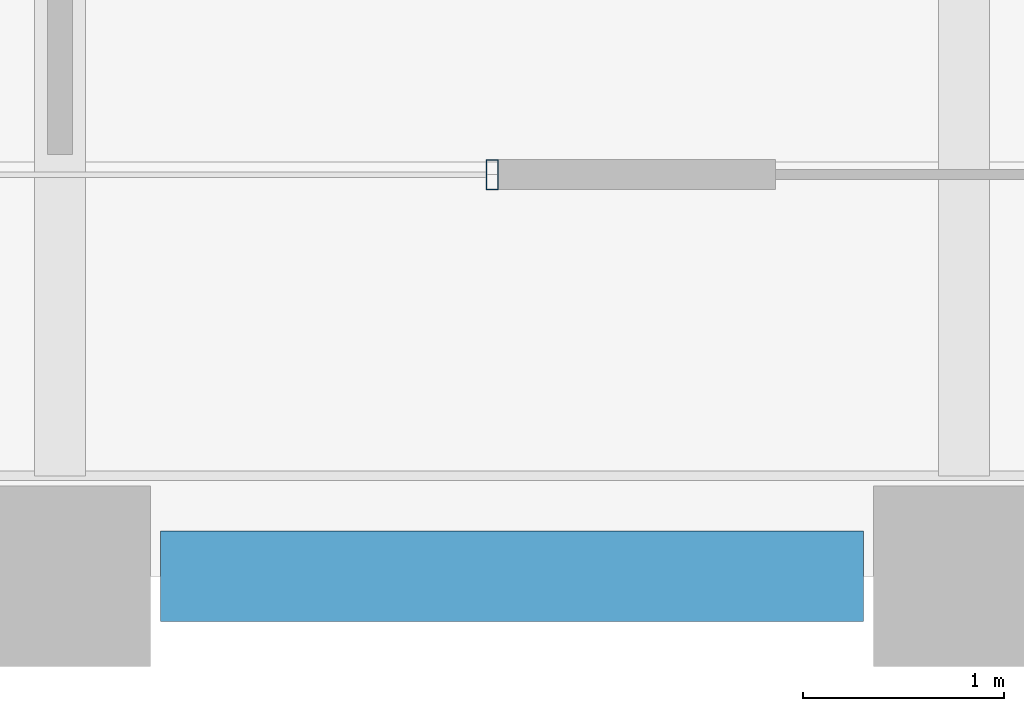
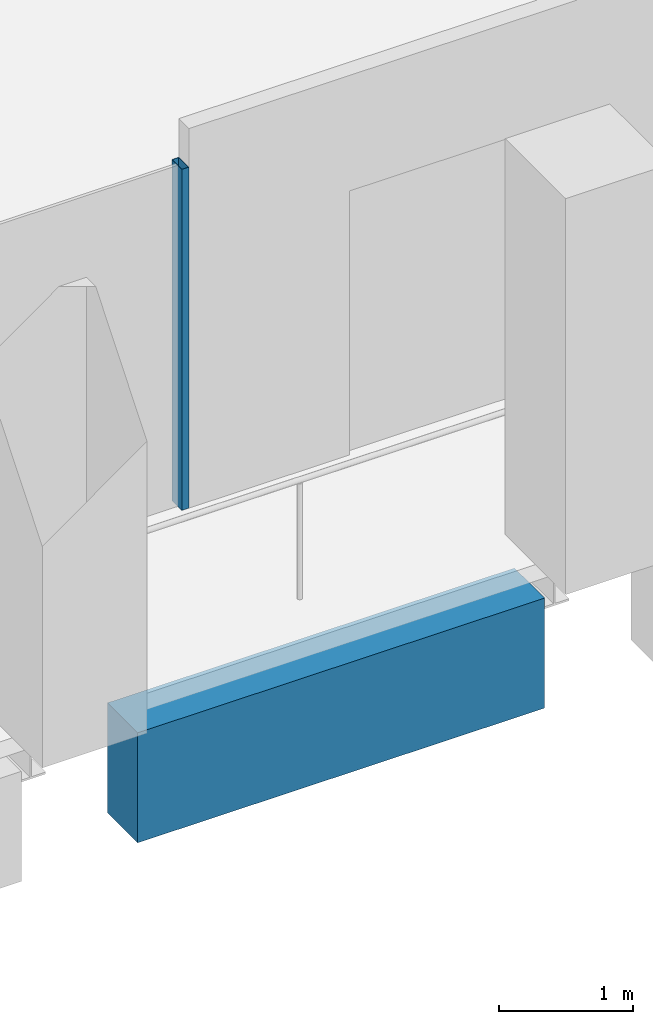
# One storey, part 7 of 44: 1 beam, 1 member, 1 element without a shape of its own.
"""IFC4 building model written with IfcOpenShell, lengths in metres."""

from ifc_helpers import new_model, si_unit, direction, frame, origin, origin_2d, place, context, subcontext, project, spatial, rectangle, hollow_rectangle, extrude, material, material_profile, profile_set, type_object, element, aggregate, save


model = new_model("IFC4")

# Units and contexts
model_context = context("Model", 3, precision=1e-05, world=origin(), true_north=direction((0.0, 1.0)))
body_context = subcontext(model_context, "Body", "Model", "MODEL_VIEW")
ifc_project = project(units=[si_unit("LENGTHUNIT", "METRE"), si_unit("AREAUNIT", "SQUARE_METRE"), si_unit("VOLUMEUNIT", "CUBIC_METRE"), si_unit("PLANEANGLEUNIT", "RADIAN"), si_unit("MASSUNIT", "GRAM", prefix="KILO")], contexts=[model_context])

# Site, building, storey
site_placement = place(None, origin())
site = spatial("IfcSite", under=ifc_project, at=site_placement, CompositionType="ELEMENT")
building_placement = place(site_placement, origin())
building = spatial("IfcBuilding", under=site, at=building_placement, Name="Altepetl Exchange Towers", CompositionType="ELEMENT")
storey_placement = place(building_placement, frame((0.0, 0.0, 143.800048828125)))
storey = spatial("IfcBuildingStorey", under=building, at=storey_placement, Name="L35", CompositionType="ELEMENT", Elevation=143.800048828125)

# Curtain wall, member
ifc_material_1 = material(Name="Aluminium 6063-T6 glazing", Category="aluminium")
curtain_wall_type = type_object("IfcCurtainWallType", Name="Loggia glazing system", PredefinedType="NOTDEFINED", material=ifc_material_1)
curtain_wall_placement = place(storey_placement, origin())
curtain_wall = element("IfcCurtainWall", 1, at=curtain_wall_placement, inside=storey, type_object=curtain_wall_type, Name="CW1 run", PredefinedType="NOTDEFINED")
ifc_material_2 = material(Name="Aluminium 6063-T6", Category="aluminium")
ifc_material_profile_1 = material_profile(ifc_material_2, hollow_rectangle(XDim=0.06005859375, YDim=0.14990234375, WallThickness=0.0029296875, at=origin_2d()), Name="Mullion 60x150 aluminium")
ifc_profile_set_1 = profile_set([ifc_material_profile_1], Name="Aluminium 6063-T6")
member_type = type_object("IfcMemberType", Name="Mullion 60x150 aluminium", PredefinedType="MULLION", material=ifc_profile_set_1)
member_placement = place(storey_placement, frame((47.152099609375, 29.0, 0.0)))
member = element("IfcMember", 2, at=member_placement, type_object=member_type, Name="MU1 mullion", PredefinedType="MULLION", context=body_context, shape_type="SweptSolid", body=[
    extrude(hollow_rectangle(XDim=0.06005859375, YDim=0.14990234375, WallThickness=0.0029296875, at=origin_2d()), origin(), (0.0, 0.0, 1.0), 3.099853515625),
])
aggregate(curtain_wall, [member])

# Beam
ifc_material_3 = material(Name="Concrete C50/60 precast with cantera blanca facing", Category="concrete")
ifc_material_profile_2 = material_profile(ifc_material_3, rectangle(XDim=0.449951171875, YDim=1.0, at=origin_2d()), Name="450 x 1000")
ifc_profile_set_2 = profile_set([ifc_material_profile_2], Name="Concrete C50/60 precast with cantera blanca facing")
beam_type = type_object("IfcBeamType", Name="Spandrel beam 450x1000 cantera blanca", PredefinedType="SPANDREL", material=ifc_profile_set_2)
beam_placement = place(storey_placement, frame((45.5, 27.0, -0.650146484375), z_axis=(1.0, 0.0, 0.0), x_axis=(0.0, 1.0, 0.0)))
element("IfcBeam", 3, at=beam_placement, inside=storey, type_object=beam_type, Name="sp:A:L35:003", PredefinedType="SPANDREL", context=body_context, shape_type="SweptSolid", body=[
    extrude(rectangle(XDim=0.449951171875, YDim=1.0, at=origin_2d()), origin(), (0.0, 0.0, 1.0), 3.5),
])

save(model, "model.ifc")
